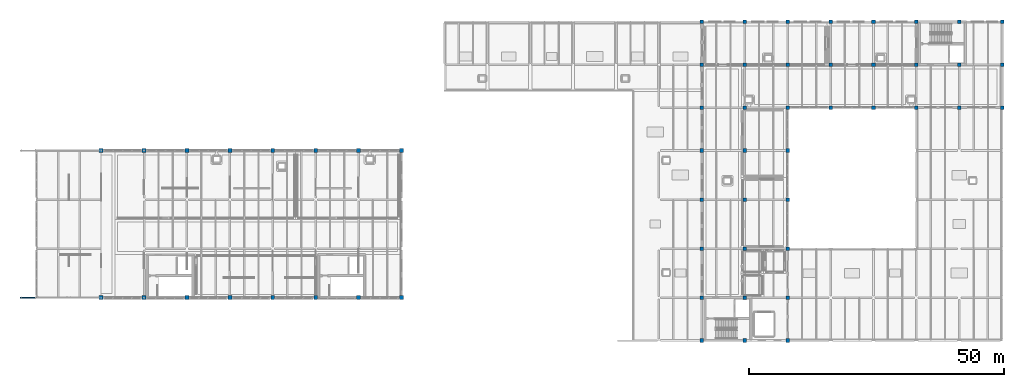
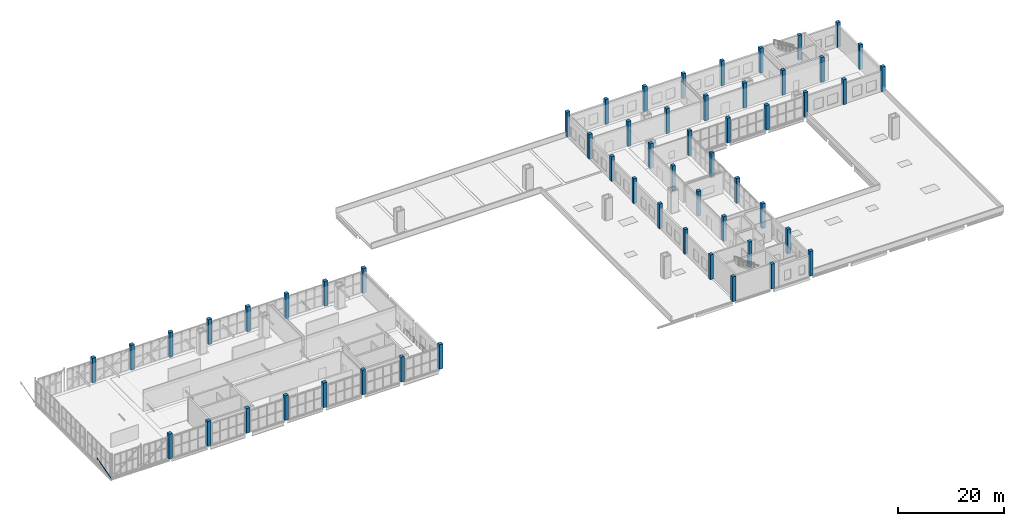
# One storey, part 1 of 49: 55 columns, 1 member.
"""IFC4 building model written with IfcOpenShell, lengths in metres."""

from ifc_helpers import new_model, si_unit, direction, frame, origin, origin_2d, place, context, subcontext, project, spatial, rectangle, hollow_circle, extrude, material, material_profile, profile_set, type_object, element, save


model = new_model("IFC4")

# Units and contexts
model_context = context("Model", 3, precision=1e-05, world=origin(), true_north=direction((0.0, 1.0)))
body_context = subcontext(model_context, "Body", "Model", "MODEL_VIEW")
ifc_project = project(units=[si_unit("LENGTHUNIT", "METRE"), si_unit("AREAUNIT", "SQUARE_METRE"), si_unit("VOLUMEUNIT", "CUBIC_METRE"), si_unit("PLANEANGLEUNIT", "RADIAN"), si_unit("MASSUNIT", "GRAM", prefix="KILO")], contexts=[model_context])

# Site, building, storey
site_placement = place(None, origin())
site = spatial("IfcSite", under=ifc_project, at=site_placement, CompositionType="ELEMENT")
building_placement = place(site_placement, origin())
building = spatial("IfcBuilding", under=site, at=building_placement, Name="Zulmaris Art Gallery", CompositionType="ELEMENT")
storey_placement = place(building_placement, frame((0.0, 0.0, 20.699951171875)))
storey = spatial("IfcBuildingStorey", under=building, at=storey_placement, Name="L04", CompositionType="ELEMENT", Elevation=20.699951171875)

# Columns
ifc_material_1 = material(Name="Concrete C40/50", Category="concrete")
ifc_material_profile_1 = material_profile(ifc_material_1, rectangle(XDim=0.699951171875, YDim=0.699951171875, at=origin_2d()), Name="RC 700x700")
ifc_profile_set_1 = profile_set([ifc_material_profile_1], Name="Concrete C40/50")
column_type_1 = type_object("IfcColumnType", Name="COL-RC-700x700", PredefinedType="COLUMN", material=ifc_profile_set_1)
for number, where, z_axis, x_axis, name in (
    (1, (141.60009765625, 13.199951171875, 0.0), (0.0, 0.0, 1.0), (1.0, 0.0, 0.0), "L04 structural column (141.6, 13.2)"),
    (2, (141.60009765625, 21.60009765625, 0.0), (0.0, 0.0, 1.0), (1.0, 0.0, 0.0), "L04 structural column (141.6, 21.6)"),
    (3, (141.60009765625, 31.199951171875, 0.0), (0.0, 0.0, 1.0), (1.0, 0.0, 0.0), "L04 structural column (141.6, 31.2)"),
    (4, (141.60009765625, 40.800048828125, 0.0), (0.0, 0.0, 1.0), (1.0, 0.0, 0.0), "L04 structural column (141.6, 40.8)"),
    (5, (141.60009765625, 50.39990234375, 0.0), (0.0, 0.0, 1.0), (1.0, 0.0, 0.0), "L04 structural column (141.6, 50.4)"),
    (6, (141.60009765625, 58.800048828125, 0.0), (0.0, 0.0, 1.0), (1.0, 0.0, 0.0), "L04 structural column (141.6, 58.8)"),
    (7, (141.60009765625, 67.199951171875, 0.0), (0.0, 0.0, 1.0), (1.0, 0.0, 0.0), "L04 structural column (141.6, 67.2)"),
    (8, (141.60009765625, 75.60009765625, 0.0), (0.0, 0.0, 1.0), (1.0, 0.0, 0.0), "L04 structural column (141.6, 75.6)"),
    (9, (150.0, 13.199951171875, 0.0), (0.0, 0.0, 1.0), (1.0, 0.0, 0.0), "L04 structural column (150.0, 13.2)"),
    (10, (150.0, 21.60009765625, 0.0), (0.0, 0.0, 1.0), (1.0, 0.0, 0.0), "L04 structural column (150.0, 21.6)"),
    (11, (150.0, 31.199951171875, 0.0), (0.0, 0.0, 1.0), (1.0, 0.0, 0.0), "L04 structural column (150.0, 31.2)"),
    (12, (150.0, 40.800048828125, 0.0), (0.0, 0.0, 1.0), (1.0, 0.0, 0.0), "L04 structural column (150.0, 40.8)"),
    (13, (150.0, 50.39990234375, 0.0), (0.0, 0.0, 1.0), (1.0, 0.0, 0.0), "L04 structural column (150.0, 50.4)"),
    (14, (150.0, 58.800048828125, 0.0), (0.0, 0.0, 1.0), (1.0, 0.0, 0.0), "L04 structural column (150.0, 58.8)"),
    (15, (150.0, 67.199951171875, 0.0), (0.0, 0.0, 1.0), (1.0, 0.0, 0.0), "L04 structural column (150.0, 67.2)"),
    (16, (150.0, 75.60009765625, 0.0), (0.0, 0.0, 1.0), (1.0, 0.0, 0.0), "L04 structural column (150.0, 75.6)"),
    (17, (158.39990234375, 13.199951171875, 0.0), (0.0, 0.0, 1.0), (1.0, 0.0, 0.0), "L04 structural column (158.4, 13.2)"),
    (18, (158.39990234375, 21.60009765625, 0.0), (0.0, 0.0, 1.0), (1.0, 0.0, 0.0), "L04 structural column (158.4, 21.6)"),
    (19, (158.39990234375, 31.199951171875, 0.0), (0.0, 0.0, 1.0), (1.0, 0.0, 0.0), "L04 structural column (158.4, 31.2)"),
    (20, (158.39990234375, 40.800048828125, 0.0), (0.0, 0.0, 1.0), (1.0, 0.0, 0.0), "L04 structural column (158.4, 40.8)"),
    (21, (158.39990234375, 50.39990234375, 0.0), (0.0, 0.0, 1.0), (1.0, 0.0, 0.0), "L04 structural column (158.4, 50.4)"),
    (22, (158.39990234375, 58.800048828125, 0.0), (0.0, 0.0, 1.0), (1.0, 0.0, 0.0), "L04 structural column (158.4, 58.8)"),
    (23, (158.39990234375, 67.199951171875, 0.0), (0.0, 0.0, 1.0), (1.0, 0.0, 0.0), "L04 structural column (158.4, 67.2)"),
    (24, (158.39990234375, 75.60009765625, 0.0), (0.0, 0.0, 1.0), (1.0, 0.0, 0.0), "L04 structural column (158.4, 75.6)"),
    (25, (166.800048828125, 58.800048828125, 0.0), (0.0, 0.0, 1.0), (1.0, 0.0, 0.0), "L04 structural column (166.8, 58.8)"),
    (26, (166.800048828125, 67.199951171875, 0.0), (0.0, 0.0, 1.0), (1.0, 0.0, 0.0), "L04 structural column (166.8, 67.2)"),
    (27, (166.800048828125, 75.60009765625, 0.0), (0.0, 0.0, 1.0), (1.0, 0.0, 0.0), "L04 structural column (166.8, 75.6)"),
    (28, (175.199951171875, 58.800048828125, 0.0), (0.0, 0.0, 1.0), (1.0, 0.0, 0.0), "L04 structural column (175.2, 58.8)"),
    (29, (175.199951171875, 67.199951171875, 0.0), (0.0, 0.0, 1.0), (1.0, 0.0, 0.0), "L04 structural column (175.2, 67.2)"),
    (30, (175.199951171875, 75.60009765625, 0.0), (0.0, 0.0, 1.0), (1.0, 0.0, 0.0), "L04 structural column (175.2, 75.6)"),
    (31, (183.60009765625, 58.800048828125, 0.0), (0.0, 0.0, 1.0), (1.0, 0.0, 0.0), "L04 structural column (183.6, 58.8)"),
    (32, (183.60009765625, 67.199951171875, 0.0), (0.0, 0.0, 1.0), (1.0, 0.0, 0.0), "L04 structural column (183.6, 67.2)"),
    (33, (183.60009765625, 75.60009765625, 0.0), (0.0, 0.0, 1.0), (1.0, 0.0, 0.0), "L04 structural column (183.6, 75.6)"),
    (34, (192.0, 58.800048828125, 0.0), (0.0, 0.0, 1.0), (1.0, 0.0, 0.0), "L04 structural column (192.0, 58.8)"),
    (35, (192.0, 67.199951171875, 0.0), (0.0, 0.0, 1.0), (1.0, 0.0, 0.0), "L04 structural column (192.0, 67.2)"),
    (36, (192.0, 75.60009765625, 0.0), (0.0, 0.0, 1.0), (1.0, 0.0, 0.0), "L04 structural column (192.0, 75.6)"),
    (37, (200.39990234375, 58.800048828125, 0.0), (0.0, 0.0, 1.0), (1.0, 0.0, 0.0), "L04 structural column (200.4, 58.8)"),
    (38, (200.39990234375, 67.199951171875, 0.0), (0.0, 0.0, 1.0), (1.0, 0.0, 0.0), "L04 structural column (200.4, 67.2)"),
    (39, (200.39990234375, 75.60009765625, 0.0), (0.0, 0.0, 1.0), (1.0, 0.0, 0.0), "L04 structural column (200.4, 75.6)"),
):
    element("IfcColumn", number, at=place(storey_placement, frame(where, z_axis=z_axis, x_axis=x_axis)), inside=storey, type_object=column_type_1, Name=name, PredefinedType="COLUMN", context=body_context, shape_type="SweptSolid", body=[
        extrude(rectangle(XDim=0.699951171875, YDim=0.699951171875, at=origin_2d()), origin(), (0.0, 0.0, 1.0), 5.699951171875),
    ])
ifc_material_profile_2 = material_profile(ifc_material_1, rectangle(XDim=0.75, YDim=0.75, at=origin_2d()), Name="RC 750x750")
ifc_profile_set_2 = profile_set([ifc_material_profile_2], Name="Concrete C40/50")
column_type_2 = type_object("IfcColumnType", Name="COL-RC-750x750", PredefinedType="COLUMN", material=ifc_profile_set_2)
for number, where, z_axis, x_axis, name in (
    (40, (24.0, 21.60009765625, 0.0), (0.0, 0.0, 1.0), (1.0, 0.0, 0.0), "L04 structural column (24.0, 21.6)"),
    (41, (24.0, 50.39990234375, 0.0), (0.0, 0.0, 1.0), (1.0, 0.0, 0.0), "L04 structural column (24.0, 50.4)"),
    (42, (32.39990234375, 21.60009765625, 0.0), (0.0, 0.0, 1.0), (1.0, 0.0, 0.0), "L04 structural column (32.4, 21.6)"),
    (43, (32.39990234375, 50.39990234375, 0.0), (0.0, 0.0, 1.0), (1.0, 0.0, 0.0), "L04 structural column (32.4, 50.4)"),
    (44, (40.800048828125, 21.60009765625, 0.0), (0.0, 0.0, 1.0), (1.0, 0.0, 0.0), "L04 structural column (40.8, 21.6)"),
    (45, (40.800048828125, 50.39990234375, 0.0), (0.0, 0.0, 1.0), (1.0, 0.0, 0.0), "L04 structural column (40.8, 50.4)"),
    (46, (49.199951171875, 21.60009765625, 0.0), (0.0, 0.0, 1.0), (1.0, 0.0, 0.0), "L04 structural column (49.2, 21.6)"),
    (47, (49.199951171875, 50.39990234375, 0.0), (0.0, 0.0, 1.0), (1.0, 0.0, 0.0), "L04 structural column (49.2, 50.4)"),
    (48, (57.60009765625, 21.60009765625, 0.0), (0.0, 0.0, 1.0), (1.0, 0.0, 0.0), "L04 structural column (57.6, 21.6)"),
    (49, (57.60009765625, 50.39990234375, 0.0), (0.0, 0.0, 1.0), (1.0, 0.0, 0.0), "L04 structural column (57.6, 50.4)"),
    (50, (66.0, 21.60009765625, 0.0), (0.0, 0.0, 1.0), (1.0, 0.0, 0.0), "L04 structural column (66.0, 21.6)"),
    (51, (66.0, 50.39990234375, 0.0), (0.0, 0.0, 1.0), (1.0, 0.0, 0.0), "L04 structural column (66.0, 50.4)"),
    (52, (74.39990234375, 21.60009765625, 0.0), (0.0, 0.0, 1.0), (1.0, 0.0, 0.0), "L04 structural column (74.4, 21.6)"),
    (53, (74.39990234375, 50.39990234375, 0.0), (0.0, 0.0, 1.0), (1.0, 0.0, 0.0), "L04 structural column (74.4, 50.4)"),
    (54, (82.800048828125, 21.60009765625, 0.0), (0.0, 0.0, 1.0), (1.0, 0.0, 0.0), "L04 structural column (82.8, 21.6)"),
    (55, (82.800048828125, 50.39990234375, 0.0), (0.0, 0.0, 1.0), (1.0, 0.0, 0.0), "L04 structural column (82.8, 50.4)"),
):
    element("IfcColumn", number, at=place(storey_placement, frame(where, z_axis=z_axis, x_axis=x_axis)), inside=storey, type_object=column_type_2, Name=name, PredefinedType="COLUMN", context=body_context, shape_type="SweptSolid", body=[
        extrude(rectangle(XDim=0.75, YDim=0.75, at=origin_2d()), origin(), (0.0, 0.0, 1.0), 5.699951171875),
    ])

# Member
ifc_material_2 = material(Name="Steel S355J2H", Category="steel")
ifc_material_profile_3 = material_profile(ifc_material_2, hollow_circle(Radius=0.096923828125, WallThickness=0.010009765625, at=origin_2d()), Name="CHS 193.7x10")
ifc_profile_set_3 = profile_set([ifc_material_profile_3], Name="Steel S355J2H")
member_type = type_object("IfcMemberType", Name="MEM-TB02", PredefinedType="BRACE", material=ifc_profile_set_3)
member_placement = place(storey_placement, frame((8.199951171875, 21.60009765625, 5.449951171875), z_axis=(0.472587579027, 0.0, -0.881283711497), x_axis=(0.0, 1.0, 0.0)))
element("IfcMember", 56, at=member_placement, inside=storey, type_object=member_type, Name="Eaves cantilever raker 1-1", PredefinedType="BRACE", context=body_context, shape_type="SweptSolid", body=[
    extrude(hollow_circle(Radius=0.096923828125, WallThickness=0.010009765625, at=origin_2d()), origin(), (0.0, 0.0, 1.0), 6.771240234375),
])

save(model, "model.ifc")
